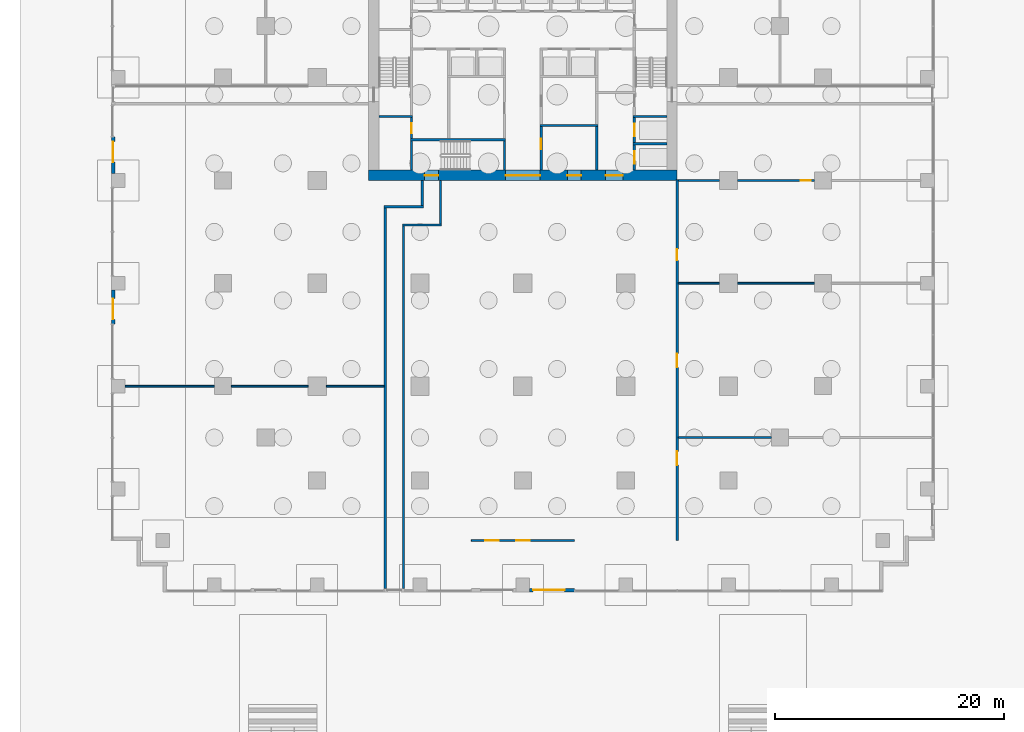
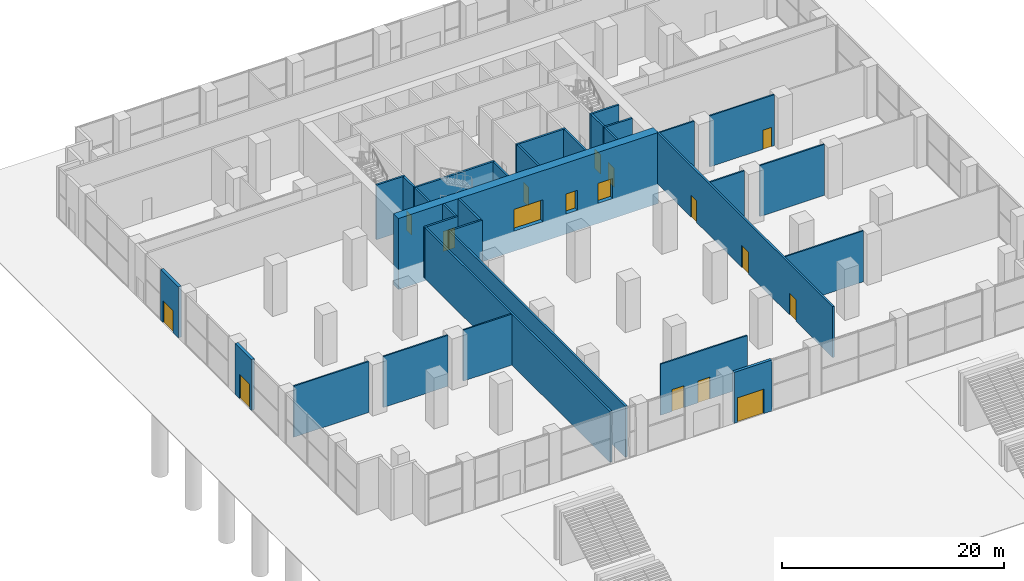
# One storey, part 14 of 20: 32 walls, 17 doors, 17 openings.
"""IFC4 building model written with IfcOpenShell, lengths in metres."""

import ifcopenshell
import ifcopenshell.guid

model = None  # the IFC model being written
_history = None  # IfcOwnerHistory: only IFC2X3 demands one
_inside = {}  # id of a spatial element -> (the spatial element, [elements in it])
_under = {}  # id of a project, library or spatial element -> (it, [spatial elements below it])
_declared = {}  # id of a project -> (the project, [libraries it declares])
_typed = {}  # id of a type object -> (the type object, [elements of that type])
_made_of = {}  # id of a material, layer set ... -> (it, [elements and type objects made of it])


def new_model(schema):
    """Start an empty IFC model of exactly this schema.

    Asked for "IFC4X3", IfcOpenShell would pick the latest addendum, in which some entities
    have other attributes; the version numbers below select the first issue.
    IFC2X3 requires an IfcOwnerHistory on every rooted entity: one is made here for all.
    """
    global model, _history
    if schema == "IFC4X3":
        model = ifcopenshell.file(schema_version=(4, 3, 0, 0))
    else:
        model = ifcopenshell.file(schema=schema)
    _inside.clear()
    _under.clear()
    _declared.clear()
    _typed.clear()
    _made_of.clear()
    _history = None
    if model.schema == "IFC2X3":
        org = make("IfcOrganization", Name="unknown")
        user = make(
            "IfcPersonAndOrganization",
            ThePerson=make("IfcPerson", FamilyName="unknown"),
            TheOrganization=org,
        )
        app = make(
            "IfcApplication",
            ApplicationDeveloper=org,
            Version="unknown",
            ApplicationFullName="unknown",
            ApplicationIdentifier="unknown",
        )
        _history = make(
            "IfcOwnerHistory",
            OwningUser=user,
            OwningApplication=app,
            ChangeAction="ADDED",
            CreationDate=0,
        )
    return model


def make(cls, **values):
    """One entity of the class cls with the attributes given. An attribute that is None is left unset."""
    return model.create_entity(
        cls, **{name: value for name, value in values.items() if value is not None}
    )


def rooted(cls, **values):
    """An entity with a GlobalId (a new one), such as an element, a storey or a relation."""
    return make(cls, GlobalId=ifcopenshell.guid.new(), OwnerHistory=_history, **values)


def si_unit(unit_type, name, prefix=None):
    """IfcSIUnit, for example si_unit("LENGTHUNIT", "METRE", prefix="MILLI")."""
    return make("IfcSIUnit", UnitType=unit_type, Prefix=prefix, Name=name)


def assignment(units):
    """IfcUnitAssignment: the units of a project."""
    return None if units is None else make("IfcUnitAssignment", Units=units)


def point(xyz):
    """IfcCartesianPoint."""
    return None if xyz is None else make("IfcCartesianPoint", Coordinates=xyz)


def direction(xyz):
    """IfcDirection."""
    return None if xyz is None else make("IfcDirection", DirectionRatios=xyz)


def frame(location, z_axis=None, x_axis=None):
    """IfcAxis2Placement3D, a coordinate frame: its origin and axes. An axis left out is left unset."""
    return make(
        "IfcAxis2Placement3D",
        Location=point(location),
        Axis=direction(z_axis),
        RefDirection=direction(x_axis),
    )


def frame_2d(location, x_axis=None):
    """IfcAxis2Placement2D, a coordinate frame in the plane: its origin and x axis."""
    return make(
        "IfcAxis2Placement2D", Location=point(location), RefDirection=direction(x_axis)
    )


def origin():
    """The frame at (0, 0, 0) with its axes left unset."""
    return frame((0.0, 0.0, 0.0))


def place(relative_to, where):
    """IfcLocalPlacement: puts the frame where relative to a parent placement (None: the world)."""
    return make(
        "IfcLocalPlacement", PlacementRelTo=relative_to, RelativePlacement=where
    )


def context(
    kind, dimensions, precision=None, world=None, true_north=None, identifier=None
):
    """IfcGeometricRepresentationContext, for example the 3D "Model" context."""
    return make(
        "IfcGeometricRepresentationContext",
        ContextIdentifier=identifier,
        ContextType=kind,
        CoordinateSpaceDimension=dimensions,
        Precision=precision,
        WorldCoordinateSystem=world,
        TrueNorth=true_north,
    )


def subcontext(parent, identifier, kind, view, scale=None):
    """IfcGeometricRepresentationSubContext, for example "Body" below "Model"."""
    return make(
        "IfcGeometricRepresentationSubContext",
        ContextIdentifier=identifier,
        ContextType=kind,
        ParentContext=parent,
        TargetScale=scale,
        TargetView=view,
    )


def project(units=None, contexts=None):
    """IfcProject with its units and contexts."""
    return rooted(
        "IfcProject",
        Name="project",
        RepresentationContexts=contexts,
        UnitsInContext=assignment(units),
    )


def spatial(cls, under=None, at=None, **own):
    """A site, building, storey or space (cls), placed at a placement, below another one or the project."""
    s = rooted(cls, ObjectPlacement=at, **own)
    if under is not None:
        _under.setdefault(under.id(), (under, []))[1].append(s)
    return s


def profile(cls, at=None, kind="AREA", **sizes):
    """A parametric profile (cls). Its sizes go by their IFC names, for example OverallWidth=200.0."""
    return make(cls, ProfileType=kind, Position=at, **sizes)


def rectangle(**sizes):
    """IfcRectangleProfileDef."""
    return profile("IfcRectangleProfileDef", **sizes)


def extrude(swept, where, along, depth):
    """IfcExtrudedAreaSolid: the profile swept, set in the frame where, extruded along a direction by depth."""
    return make(
        "IfcExtrudedAreaSolid",
        SweptArea=swept,
        Position=where,
        ExtrudedDirection=direction(along),
        Depth=depth,
    )


def shape(context_of_items, identifier, shape_type, items):
    """IfcShapeRepresentation: the items that make up one representation, for example the "Body"."""
    return make(
        "IfcShapeRepresentation",
        ContextOfItems=context_of_items,
        RepresentationIdentifier=identifier,
        RepresentationType=shape_type,
        Items=items,
    )


def material(Name=None, Category=None):
    """IfcMaterial."""
    return make("IfcMaterial", Name=Name, Category=Category)


def layer(
    of_material, thickness, ventilated=None, Name=None, Category=None, Priority=None
):
    """IfcMaterialLayer: one layer of a wall or slab, of a material (None: an air gap)."""
    return make(
        "IfcMaterialLayer",
        Material=of_material,
        LayerThickness=thickness,
        IsVentilated=ventilated,
        Name=Name,
        Category=Category,
        Priority=Priority,
    )


def layer_set(layers, Name=None):
    """IfcMaterialLayerSet."""
    return make("IfcMaterialLayerSet", MaterialLayers=layers, LayerSetName=Name)


def made_of(thing, what):
    """Note that an element or type object is made of a material, layer set ...; save() writes the relation."""
    if what is not None:
        _made_of.setdefault(what.id(), (what, []))[1].append(thing)
    return thing


def type_object(cls, material=None, **own):
    """A type object (cls), such as IfcWallType, which elements share."""
    return made_of(rooted(cls, **own), material)


def element(
    cls,
    number,
    at=None,
    inside=None,
    cuts=None,
    type_object=None,
    material=None,
    context=None,
    identifier="Body",
    shape_type=None,
    held_by="IfcProductDefinitionShape",
    body=None,
    shapes=None,
    **own,
):
    """One element of the class cls, such as IfcWall. Its Tag is "e" and its number.

    at: its placement. inside: the storey or other place that contains it. cuts: it is an
    opening in that element (IfcRelVoidsElement). A single representation is given by context,
    identifier, shape_type and body (its items); several are given by shapes. held_by: the class
    of the entity that holds the representations. save() writes the other relations.
    """
    e = rooted(cls, Tag="e%d" % number, ObjectPlacement=at, **own)
    if body is not None:
        shapes = [shape(context, identifier, shape_type, body)]
    if shapes is not None:
        e.Representation = make(held_by, Representations=shapes)
    if inside is not None:
        _inside.setdefault(inside.id(), (inside, []))[1].append(e)
    if cuts is not None:
        rooted(
            "IfcRelVoidsElement", RelatingBuildingElement=cuts, RelatedOpeningElement=e
        )
    if type_object is not None:
        _typed.setdefault(type_object.id(), (type_object, []))[1].append(e)
    return made_of(e, material)


def fill(opening, filler):
    """IfcRelFillsElement: the door or window that sits in an opening."""
    return rooted(
        "IfcRelFillsElement",
        RelatingOpeningElement=opening,
        RelatedBuildingElement=filler,
    )


def aggregate(whole, parts):
    """IfcRelAggregates: a whole, such as a stair, and the parts it consists of."""
    return rooted("IfcRelAggregates", RelatingObject=whole, RelatedObjects=parts)


def save(model, path):
    """Write the relations noted so far, then the file.

    IfcRelAggregates (storeys below a building ...), IfcRelContainedInSpatialStructure (elements
    in a storey), IfcRelDefinesByType, IfcRelAssociatesMaterial and IfcRelDeclares: one each for
    every whole, place, type object, material and project.
    """
    for whole, parts in _under.values():
        aggregate(whole, parts)
    for where, things in _inside.values():
        rooted(
            "IfcRelContainedInSpatialStructure",
            RelatedElements=things,
            RelatingStructure=where,
        )
    for kind, things in _typed.values():
        rooted("IfcRelDefinesByType", RelatedObjects=things, RelatingType=kind)
    for what, things in _made_of.values():
        rooted("IfcRelAssociatesMaterial", RelatedObjects=things, RelatingMaterial=what)
    for by, libraries in _declared.values():
        rooted("IfcRelDeclares", RelatingContext=by, RelatedDefinitions=libraries)
    model.write(path)


model = new_model("IFC4")

# Units and contexts
model_context = context("Model", 3, precision=1e-05, world=origin(), true_north=direction((0.0, 1.0)))
body_context = subcontext(model_context, "Body", "Model", "MODEL_VIEW")
ifc_project = project(units=[si_unit("LENGTHUNIT", "METRE"), si_unit("AREAUNIT", "SQUARE_METRE"), si_unit("VOLUMEUNIT", "CUBIC_METRE"), si_unit("PLANEANGLEUNIT", "RADIAN"), si_unit("MASSUNIT", "GRAM", prefix="KILO")], contexts=[model_context])

# Site, building, storey
site_placement = place(None, origin())
site = spatial("IfcSite", under=ifc_project, at=site_placement, CompositionType="ELEMENT")
building_placement = place(site_placement, origin())
building = spatial("IfcBuilding", under=site, at=building_placement, Name="Orbiselva Terraces", CompositionType="ELEMENT")
storey_placement = place(building_placement, origin())
storey = spatial("IfcBuildingStorey", under=building, at=storey_placement, Name="L00", CompositionType="ELEMENT", Elevation=0.0)

# Wall, openings, doors
ifc_material_1 = material(Name="Concrete C80/95", Category="concrete")
ifc_layer_1 = layer(ifc_material_1, 0.9)
ifc_layer_set_1 = layer_set([ifc_layer_1], Name="Concrete C80/95")
wall_type_1 = type_object("IfcWallType", Name="CORE WALL 900", PredefinedType="SHEAR", material=ifc_layer_set_1)
wall_1_placement = place(storey_placement, frame((-13.5, 4.95, -2.2), z_axis=(0.0, 0.0, 1.0), x_axis=(1.0, 0.0, 0.0)))
wall_1 = element("IfcWall", 1, at=wall_1_placement, inside=storey, type_object=wall_type_1, Name="Core wall L00 south", PredefinedType="SHEAR", context=body_context, shape_type="SweptSolid", body=[
    extrude(rectangle(XDim=27.0, YDim=0.9, at=frame_2d((13.5, 0.0))), origin(), (0.0, 0.0, 1.0), 7.8),
])
opening_1_placement = place(wall_1_placement, frame((12.0, 0.0, 2.2)))
opening_1 = element("IfcOpeningElement", 2, at=opening_1_placement, cuts=wall_1, Name="Opening DL3000", PredefinedType="OPENING", context=body_context, shape_type="SweptSolid", body=[
    extrude(rectangle(XDim=3.0, YDim=2.4, at=frame_2d((1.5, 1.2))), frame((0.0, 0.46, 0.0), z_axis=(0.0, -1.0, 0.0), x_axis=(1.0, 0.0, 0.0)), (0.0, 0.0, 1.0), 0.92),
])
opening_2_placement = place(wall_1_placement, frame((4.9, 0.0, 2.2)))
opening_2 = element("IfcOpeningElement", 3, at=opening_2_placement, cuts=wall_1, Name="Opening DS1200", PredefinedType="OPENING", context=body_context, shape_type="SweptSolid", body=[
    extrude(rectangle(XDim=1.2, YDim=2.2, at=frame_2d((0.6, 1.1))), frame((0.0, 0.46, 0.0), z_axis=(0.0, -1.0, 0.0), x_axis=(1.0, 0.0, 0.0)), (0.0, 0.0, 1.0), 0.92),
])
opening_3_placement = place(wall_1_placement, frame((20.75, 0.0, 2.2)))
opening_3 = element("IfcOpeningElement", 4, at=opening_3_placement, cuts=wall_1, Name="Opening DF1500", PredefinedType="OPENING", context=body_context, shape_type="SweptSolid", body=[
    extrude(rectangle(XDim=1.5, YDim=2.2, at=frame_2d((0.75, 1.1))), frame((0.0, 0.46, 0.0), z_axis=(0.0, -1.0, 0.0), x_axis=(1.0, 0.0, 0.0)), (0.0, 0.0, 1.0), 0.92),
])
opening_4_placement = place(wall_1_placement, frame((17.4, 0.0, 2.2)))
opening_4 = element("IfcOpeningElement", 5, at=opening_4_placement, cuts=wall_1, Name="Opening DV1200", PredefinedType="OPENING", context=body_context, shape_type="SweptSolid", body=[
    extrude(rectangle(XDim=1.2, YDim=2.2, at=frame_2d((0.6, 1.1))), frame((0.0, 0.46, 0.0), z_axis=(0.0, -1.0, 0.0), x_axis=(1.0, 0.0, 0.0)), (0.0, 0.0, 1.0), 0.92),
])
ifc_material_2 = material(Name="Steel fire door", Category="steel")
door_type_1 = type_object("IfcDoorType", Name="FFL DOOR 1500", OperationType="DOUBLE_DOOR_SINGLE_SWING", PredefinedType="DOOR", material=ifc_material_2)
door_1_placement = place(opening_3_placement, frame((1.5, 0.0, 0.0), z_axis=(0.0, 0.0, 1.0), x_axis=(-1.0, 0.0, 0.0)))
door_1 = element("IfcDoor", 6, at=door_1_placement, inside=storey, type_object=door_type_1, Name="L00 FIRE-FIGHTING LOBBY door", OperationType="DOUBLE_DOOR_SINGLE_SWING", OverallHeight=2.2, OverallWidth=1.5, PredefinedType="DOOR", context=body_context, shape_type="SweptSolid", body=[
    extrude(rectangle(XDim=1.5, YDim=2.2, at=frame_2d((0.75, 1.1))), frame((0.0, 0.025, 0.0), z_axis=(0.0, -1.0, 0.0), x_axis=(1.0, 0.0, 0.0)), (0.0, 0.0, 1.0), 0.05),
])
fill(opening_3, door_1)
door_type_2 = type_object("IfcDoorType", Name="LOBBY DOOR 3000", OperationType="DOUBLE_DOOR_SINGLE_SWING", PredefinedType="DOOR", material=ifc_material_2)
door_2_placement = place(opening_1_placement, frame((3.0, 0.0, 0.0), z_axis=(0.0, 0.0, 1.0), x_axis=(-1.0, 0.0, 0.0)))
door_2 = element("IfcDoor", 7, at=door_2_placement, inside=storey, type_object=door_type_2, Name="L00 LIFT LOBBY door", OperationType="DOUBLE_DOOR_SINGLE_SWING", OverallHeight=2.4, OverallWidth=3.0, PredefinedType="DOOR", context=body_context, shape_type="SweptSolid", body=[
    extrude(rectangle(XDim=3.0, YDim=2.4, at=frame_2d((1.5, 1.2))), frame((0.0, 0.025, 0.0), z_axis=(0.0, -1.0, 0.0), x_axis=(1.0, 0.0, 0.0)), (0.0, 0.0, 1.0), 0.05),
])
fill(opening_1, door_2)
door_type_3 = type_object("IfcDoorType", Name="SERVICE DOOR 1200", OperationType="NOTDEFINED", PredefinedType="DOOR", material=ifc_material_2)
door_3_placement = place(opening_4_placement, frame((1.2, 0.0, 0.0), z_axis=(0.0, 0.0, 1.0), x_axis=(-1.0, 0.0, 0.0)))
door_3 = element("IfcDoor", 8, at=door_3_placement, inside=storey, type_object=door_type_3, Name="L00 ELECTRICAL ROOM door", OperationType="SINGLE_SWING_RIGHT", OverallHeight=2.2, OverallWidth=1.2, PredefinedType="DOOR", context=body_context, shape_type="SweptSolid", body=[
    extrude(rectangle(XDim=1.2, YDim=2.2, at=frame_2d((0.6, 1.1))), frame((0.0, 0.025, 0.0), z_axis=(0.0, -1.0, 0.0), x_axis=(1.0, 0.0, 0.0)), (0.0, 0.0, 1.0), 0.05),
])
fill(opening_4, door_3)
door_type_4 = type_object("IfcDoorType", Name="STAIR DOOR 1200", OperationType="NOTDEFINED", PredefinedType="DOOR", material=ifc_material_2)
door_4_placement = place(opening_2_placement, frame((1.2, 0.0, 0.0), z_axis=(0.0, 0.0, 1.0), x_axis=(-1.0, 0.0, 0.0)))
door_4 = element("IfcDoor", 9, at=door_4_placement, inside=storey, type_object=door_type_4, Name="L00 EXIT STAIR S3 door", OperationType="SINGLE_SWING_LEFT", OverallHeight=2.2, OverallWidth=1.2, PredefinedType="DOOR", context=body_context, shape_type="SweptSolid", body=[
    extrude(rectangle(XDim=1.2, YDim=2.2, at=frame_2d((0.6, 1.1))), frame((0.0, 0.025, 0.0), z_axis=(0.0, -1.0, 0.0), x_axis=(1.0, 0.0, 0.0)), (0.0, 0.0, 1.0), 0.05),
])
fill(opening_2, door_4)

# Wall, opening, door
ifc_material_3 = material(Name="Masonry blockwork", Category="masonry")
ifc_layer_2 = layer(ifc_material_3, 0.2)
ifc_layer_set_2 = layer_set([ifc_layer_2], Name="Masonry blockwork")
wall_type_2 = type_object("IfcWallType", Name="CORE-WALL-PARTITION-200", PredefinedType="PARTITIONING", material=ifc_layer_set_2)
wall_2_placement = place(storey_placement, frame((-9.75, 8.15, 0.0), z_axis=(0.0, 0.0, 1.0), x_axis=(0.0, 1.0, 0.0)))
wall_2 = element("IfcWall", 10, at=wall_2_placement, inside=storey, type_object=wall_type_2, Name="L00 core wall 05", PredefinedType="PARTITIONING", context=body_context, shape_type="SweptSolid", body=[
    extrude(rectangle(XDim=1.85, YDim=0.2, at=frame_2d((0.925, 0.0))), origin(), (0.0, 0.0, 1.0), 5.6),
])
opening_5_placement = place(wall_2_placement, frame((0.475, 0.0, 0.0)))
opening_5 = element("IfcOpeningElement", 11, at=opening_5_placement, cuts=wall_2, Name="Opening DR900", PredefinedType="OPENING", context=body_context, shape_type="SweptSolid", body=[
    extrude(rectangle(XDim=0.9, YDim=2.1, at=frame_2d((0.45, 1.05))), frame((0.0, 0.11, 0.0), z_axis=(0.0, -1.0, 0.0), x_axis=(1.0, 0.0, 0.0)), (0.0, 0.0, 1.0), 0.22),
])
door_type_5 = type_object("IfcDoorType", Name="ROOM DOOR 900", OperationType="NOTDEFINED", PredefinedType="DOOR", material=ifc_material_2)
door_5_placement = place(opening_5_placement, origin())
door_5 = element("IfcDoor", 12, at=door_5_placement, inside=storey, type_object=door_type_5, Name="L00 ACCESSIBLE WC door", OperationType="SINGLE_SWING_RIGHT", OverallHeight=2.1, OverallWidth=0.9, PredefinedType="DOOR", context=body_context, shape_type="SweptSolid", body=[
    extrude(rectangle(XDim=0.9, YDim=2.1, at=frame_2d((0.45, 1.05))), frame((0.0, 0.025, 0.0), z_axis=(0.0, -1.0, 0.0), x_axis=(1.0, 0.0, 0.0)), (0.0, 0.0, 1.0), 0.05),
])
fill(opening_5, door_5)

# Walls
ifc_layer_3 = layer(ifc_material_3, 0.2)
ifc_layer_set_3 = layer_set([ifc_layer_3], Name="Masonry blockwork")
wall_type_3 = type_object("IfcWallType", Name="CORE-WALL-PARTITION-200-EI120", PredefinedType="PARTITIONING", material=ifc_layer_set_3)
wall_3_placement = place(storey_placement, frame((-12.05, -31.2, 0.0), z_axis=(0.0, 0.0, 1.0), x_axis=(0.0, 1.0, 0.0)))
element("IfcWall", 13, at=wall_3_placement, inside=storey, type_object=wall_type_3, Name="EXIT PASSAGE S3 wall 1", PredefinedType="PARTITIONING", context=body_context, shape_type="SweptSolid", body=[
    extrude(rectangle(XDim=33.3, YDim=0.2, at=frame_2d((16.65, 0.0))), origin(), (0.0, 0.0, 1.0), 5.6),
])
wall_4_placement = place(storey_placement, frame((-12.15, 2.2, 0.0), z_axis=(0.0, 0.0, 1.0), x_axis=(1.0, 0.0, 0.0)))
element("IfcWall", 14, at=wall_4_placement, inside=storey, type_object=wall_type_3, Name="EXIT PASSAGE S3 wall 2", PredefinedType="PARTITIONING", context=body_context, shape_type="SweptSolid", body=[
    extrude(rectangle(XDim=3.45, YDim=0.2, at=frame_2d((1.725, 0.0))), origin(), (0.0, 0.0, 1.0), 5.6),
])
wall_5_placement = place(storey_placement, frame((-10.45, -31.2, 0.0), z_axis=(0.0, 0.0, 1.0), x_axis=(0.0, 1.0, 0.0)))
element("IfcWall", 15, at=wall_5_placement, inside=storey, type_object=wall_type_3, Name="EXIT PASSAGE S3 wall 3", PredefinedType="PARTITIONING", context=body_context, shape_type="SweptSolid", body=[
    extrude(rectangle(XDim=31.7, YDim=0.2, at=frame_2d((15.85, 0.0))), origin(), (0.0, 0.0, 1.0), 5.6),
])
wall_6_placement = place(storey_placement, frame((-10.55, 0.6, 0.0), z_axis=(0.0, 0.0, 1.0), x_axis=(1.0, 0.0, 0.0)))
element("IfcWall", 16, at=wall_6_placement, inside=storey, type_object=wall_type_3, Name="EXIT PASSAGE S3 wall 4", PredefinedType="PARTITIONING", context=body_context, shape_type="SweptSolid", body=[
    extrude(rectangle(XDim=3.45, YDim=0.2, at=frame_2d((1.725, 0.0))), origin(), (0.0, 0.0, 1.0), 5.6),
])
wall_7_placement = place(storey_placement, frame((-8.8, 2.3, 0.0), z_axis=(0.0, 0.0, 1.0), x_axis=(0.0, 1.0, 0.0)))
element("IfcWall", 17, at=wall_7_placement, inside=storey, type_object=wall_type_3, Name="EXIT PASSAGE S3 wall 5", PredefinedType="PARTITIONING", context=body_context, shape_type="SweptSolid", body=[
    extrude(rectangle(XDim=2.2, YDim=0.2, at=frame_2d((1.1, 0.0))), origin(), (0.0, 0.0, 1.0), 5.6),
])
wall_8_placement = place(storey_placement, frame((-7.2, 0.7, 0.0), z_axis=(0.0, 0.0, 1.0), x_axis=(0.0, 1.0, 0.0)))
element("IfcWall", 18, at=wall_8_placement, inside=storey, type_object=wall_type_3, Name="EXIT PASSAGE S3 wall 6", PredefinedType="PARTITIONING", context=body_context, shape_type="SweptSolid", body=[
    extrude(rectangle(XDim=3.8, YDim=0.2, at=frame_2d((1.9, 0.0))), origin(), (0.0, 0.0, 1.0), 5.6),
])
ifc_material_4 = material(Name="Concrete C60/75", Category="concrete")
ifc_layer_4 = layer(ifc_material_4, 0.2)
ifc_layer_set_4 = layer_set([ifc_layer_4], Name="Concrete C60/75")
wall_type_4 = type_object("IfcWallType", Name="CORE-WALL-SHEAR-200", PredefinedType="SHEAR", material=ifc_layer_set_4)
wall_9_placement = place(storey_placement, frame((-12.6, 10.1, -0.4), z_axis=(0.0, 0.0, 1.0), x_axis=(1.0, 0.0, 0.0)))
element("IfcWall", 19, at=wall_9_placement, inside=storey, type_object=wall_type_4, Name="L00 core wall 01", PredefinedType="SHEAR", context=body_context, shape_type="SweptSolid", body=[
    extrude(rectangle(XDim=2.95, YDim=0.2, at=frame_2d((1.475, 0.0))), origin(), (0.0, 0.0, 1.0), 6.0),
])
wall_10_placement = place(storey_placement, frame((-9.75, 5.4, -0.4), z_axis=(0.0, 0.0, 1.0), x_axis=(0.0, 1.0, 0.0)))
element("IfcWall", 20, at=wall_10_placement, inside=storey, type_object=wall_type_4, Name="L00 core wall 03", PredefinedType="SHEAR", context=body_context, shape_type="SweptSolid", body=[
    extrude(rectangle(XDim=2.55, YDim=0.2, at=frame_2d((1.275, 0.0))), origin(), (0.0, 0.0, 1.0), 6.0),
])
wall_11_placement = place(storey_placement, frame((-9.85, 8.05, -0.4), z_axis=(0.0, 0.0, 1.0), x_axis=(1.0, 0.0, 0.0)))
element("IfcWall", 21, at=wall_11_placement, inside=storey, type_object=wall_type_4, Name="L00 core wall 04", PredefinedType="SHEAR", context=body_context, shape_type="SweptSolid", body=[
    extrude(rectangle(XDim=8.35, YDim=0.2, at=frame_2d((4.175, 0.0))), origin(), (0.0, 0.0, 1.0), 6.0),
])
wall_12_placement = place(storey_placement, frame((-1.6, 5.4, -0.4), z_axis=(0.0, 0.0, 1.0), x_axis=(0.0, 1.0, 0.0)))
element("IfcWall", 22, at=wall_12_placement, inside=storey, type_object=wall_type_4, Name="L00 core wall 19", PredefinedType="SHEAR", context=body_context, shape_type="SweptSolid", body=[
    extrude(rectangle(XDim=2.55, YDim=0.2, at=frame_2d((1.275, 0.0))), origin(), (0.0, 0.0, 1.0), 6.0),
])

# Wall, opening, door
wall_13_placement = place(storey_placement, frame((1.6, 9.2, -0.4), z_axis=(0.0, 0.0, 1.0), x_axis=(0.0, -1.0, 0.0)))
wall_13 = element("IfcWall", 23, at=wall_13_placement, inside=storey, type_object=wall_type_4, Name="L00 core wall 23", PredefinedType="SHEAR", context=body_context, shape_type="SweptSolid", body=[
    extrude(rectangle(XDim=3.8, YDim=0.2, at=frame_2d((1.9, 0.0))), origin(), (0.0, 0.0, 1.0), 6.0),
])
opening_6_placement = place(wall_13_placement, frame((1.05, 0.0, 0.4)))
opening_6 = element("IfcOpeningElement", 24, at=opening_6_placement, cuts=wall_13, Name="Opening DR900", PredefinedType="OPENING", context=body_context, shape_type="SweptSolid", body=[
    extrude(rectangle(XDim=0.9, YDim=2.1, at=frame_2d((0.45, 1.05))), frame((0.0, 0.11, 0.0), z_axis=(0.0, -1.0, 0.0), x_axis=(1.0, 0.0, 0.0)), (0.0, 0.0, 1.0), 0.22),
])
door_6_placement = place(opening_6_placement, origin())
door_6 = element("IfcDoor", 25, at=door_6_placement, inside=storey, type_object=door_type_5, Name="L00 ELECTRICAL ROOM door", OperationType="SINGLE_SWING_LEFT", OverallHeight=2.1, OverallWidth=0.9, PredefinedType="DOOR", context=body_context, shape_type="SweptSolid", body=[
    extrude(rectangle(XDim=0.9, YDim=2.1, at=frame_2d((0.45, 1.05))), frame((0.0, 0.025, 0.0), z_axis=(0.0, -1.0, 0.0), x_axis=(1.0, 0.0, 0.0)), (0.0, 0.0, 1.0), 0.05),
])
fill(opening_6, door_6)

# Walls
wall_14_placement = place(storey_placement, frame((1.5, 9.3, -0.4), z_axis=(0.0, 0.0, 1.0), x_axis=(1.0, 0.0, 0.0)))
element("IfcWall", 26, at=wall_14_placement, inside=storey, type_object=wall_type_4, Name="L00 core wall 24", PredefinedType="SHEAR", context=body_context, shape_type="SweptSolid", body=[
    extrude(rectangle(XDim=5.075, YDim=0.2, at=frame_2d((2.5375, 0.0))), origin(), (0.0, 0.0, 1.0), 6.0),
])
wall_15_placement = place(storey_placement, frame((6.475, 5.4, -0.4), z_axis=(0.0, 0.0, 1.0), x_axis=(0.0, 1.0, 0.0)))
element("IfcWall", 27, at=wall_15_placement, inside=storey, type_object=wall_type_4, Name="L00 core wall 32", PredefinedType="SHEAR", context=body_context, shape_type="SweptSolid", body=[
    extrude(rectangle(XDim=3.8, YDim=0.2, at=frame_2d((1.9, 0.0))), origin(), (0.0, 0.0, 1.0), 6.0),
])

# Wall, opening, door
wall_16_placement = place(storey_placement, frame((9.75, 5.4, -0.4), z_axis=(0.0, 0.0, 1.0), x_axis=(0.0, 1.0, 0.0)))
wall_16 = element("IfcWall", 28, at=wall_16_placement, inside=storey, type_object=wall_type_4, Name="L00 core wall 38", PredefinedType="SHEAR", context=body_context, shape_type="SweptSolid", body=[
    extrude(rectangle(XDim=2.2, YDim=0.2, at=frame_2d((1.1, 0.0))), origin(), (0.0, 0.0, 1.0), 6.0),
])
opening_7_placement = place(wall_16_placement, frame((0.55, 0.0, 0.4)))
opening_7 = element("IfcOpeningElement", 29, at=opening_7_placement, cuts=wall_16, Name="Opening LD-FF1", PredefinedType="OPENING", context=body_context, shape_type="SweptSolid", body=[
    extrude(rectangle(XDim=1.1, YDim=2.1, at=frame_2d((0.55, 1.05))), frame((0.0, 0.11, 0.0), z_axis=(0.0, -1.0, 0.0), x_axis=(1.0, 0.0, 0.0)), (0.0, 0.0, 1.0), 0.22),
])
ifc_material_5 = material(Name="Stainless steel landing door", Category="steel")
door_type_6 = type_object("IfcDoorType", Name="LANDING DOOR 1100", OperationType="SLIDING_TO_LEFT", PredefinedType="DOOR", material=ifc_material_5)
door_7_placement = place(opening_7_placement, origin())
door_7 = element("IfcDoor", 30, at=door_7_placement, inside=storey, type_object=door_type_6, Name="L00 landing door FF1", OperationType="SLIDING_TO_RIGHT", OverallHeight=2.1, OverallWidth=1.1, PredefinedType="DOOR", context=body_context, shape_type="SweptSolid", body=[
    extrude(rectangle(XDim=1.1, YDim=2.1, at=frame_2d((0.55, 1.05))), frame((0.0, 0.025, 0.0), z_axis=(0.0, -1.0, 0.0), x_axis=(1.0, 0.0, 0.0)), (0.0, 0.0, 1.0), 0.05),
])
fill(opening_7, door_7)

# Wall
wall_17_placement = place(storey_placement, frame((9.65, 7.7, -0.4), z_axis=(0.0, 0.0, 1.0), x_axis=(1.0, 0.0, 0.0)))
element("IfcWall", 31, at=wall_17_placement, inside=storey, type_object=wall_type_4, Name="L00 core wall 39", PredefinedType="SHEAR", context=body_context, shape_type="SweptSolid", body=[
    extrude(rectangle(XDim=2.95, YDim=0.2, at=frame_2d((1.475, 0.0))), origin(), (0.0, 0.0, 1.0), 6.0),
])

# Wall, opening, door
wall_18_placement = place(storey_placement, frame((9.75, 7.8, -0.4), z_axis=(0.0, 0.0, 1.0), x_axis=(0.0, 1.0, 0.0)))
wall_18 = element("IfcWall", 32, at=wall_18_placement, inside=storey, type_object=wall_type_4, Name="L00 core wall 40", PredefinedType="SHEAR", context=body_context, shape_type="SweptSolid", body=[
    extrude(rectangle(XDim=2.2, YDim=0.2, at=frame_2d((1.1, 0.0))), origin(), (0.0, 0.0, 1.0), 6.0),
])
opening_8_placement = place(wall_18_placement, frame((0.55, 0.0, 0.4)))
opening_8 = element("IfcOpeningElement", 33, at=opening_8_placement, cuts=wall_18, Name="Opening LD-FF2", PredefinedType="OPENING", context=body_context, shape_type="SweptSolid", body=[
    extrude(rectangle(XDim=1.1, YDim=2.1, at=frame_2d((0.55, 1.05))), frame((0.0, 0.11, 0.0), z_axis=(0.0, -1.0, 0.0), x_axis=(1.0, 0.0, 0.0)), (0.0, 0.0, 1.0), 0.22),
])
door_8_placement = place(opening_8_placement, origin())
door_8 = element("IfcDoor", 34, at=door_8_placement, inside=storey, type_object=door_type_6, Name="L00 landing door FF2", OperationType="SLIDING_TO_RIGHT", OverallHeight=2.1, OverallWidth=1.1, PredefinedType="DOOR", context=body_context, shape_type="SweptSolid", body=[
    extrude(rectangle(XDim=1.1, YDim=2.1, at=frame_2d((0.55, 1.05))), frame((0.0, 0.025, 0.0), z_axis=(0.0, -1.0, 0.0), x_axis=(1.0, 0.0, 0.0)), (0.0, 0.0, 1.0), 0.05),
])
fill(opening_8, door_8)

# Wall
wall_19_placement = place(storey_placement, frame((9.65, 10.1, -0.4), z_axis=(0.0, 0.0, 1.0), x_axis=(1.0, 0.0, 0.0)))
element("IfcWall", 35, at=wall_19_placement, inside=storey, type_object=wall_type_4, Name="L00 core wall 41", PredefinedType="SHEAR", context=body_context, shape_type="SweptSolid", body=[
    extrude(rectangle(XDim=2.95, YDim=0.2, at=frame_2d((1.475, 0.0))), origin(), (0.0, 0.0, 1.0), 6.0),
])

# Wall, opening, door
ifc_material_6 = material(Name="Terracotta cladding on masonry backing", Category="masonry")
ifc_layer_5 = layer(ifc_material_6, 0.3)
ifc_layer_set_5 = layer_set([ifc_layer_5], Name="Terracotta cladding on masonry backing")
wall_type_5 = type_object("IfcWallType", Name="ENV-WALL-TERRACOTTA-300", PredefinedType="SOLIDWALL", material=ifc_layer_set_5)
wall_20_placement = place(storey_placement, frame((4.5, -31.35, 0.0), z_axis=(0.0, 0.0, 1.0), x_axis=(-1.0, 0.0, 0.0)))
wall_20 = element("IfcWall", 36, at=wall_20_placement, inside=storey, type_object=wall_type_5, Name="Facade wall L00 S", PredefinedType="SOLIDWALL", context=body_context, shape_type="SweptSolid", body=[
    extrude(rectangle(XDim=3.9, YDim=0.3, at=frame_2d((1.95, 0.0))), origin(), (0.0, 0.0, 1.0), 5.6),
])
opening_9_placement = place(wall_20_placement, frame((0.85, 0.0, 0.0)))
opening_9 = element("IfcOpeningElement", 37, at=opening_9_placement, cuts=wall_20, Name="Opening PODIUM-GROUND-E03", PredefinedType="OPENING", context=body_context, shape_type="SweptSolid", body=[
    extrude(rectangle(XDim=2.75, YDim=2.7, at=frame_2d((1.375, 1.35))), frame((0.0, 0.16, 0.0), z_axis=(0.0, -1.0, 0.0), x_axis=(1.0, 0.0, 0.0)), (0.0, 0.0, 1.0), 0.32),
])
ifc_material_7 = material(Name="Clear low-e glazing in aluminium frame", Category="aluminium")
door_type_7 = type_object("IfcDoorType", Name="ENTRANCE DOOR 2750 X 2700", OperationType="DOUBLE_DOOR_DOUBLE_SWING", PredefinedType="DOOR", material=ifc_material_7)
door_9_placement = place(opening_9_placement, origin())
door_9 = element("IfcDoor", 38, at=door_9_placement, inside=storey, type_object=door_type_7, Name="PODIUM-GROUND-E03", OperationType="SINGLE_SWING_LEFT", OverallHeight=2.7, OverallWidth=2.75, PredefinedType="DOOR", context=body_context, shape_type="SweptSolid", body=[
    extrude(rectangle(XDim=2.75, YDim=2.7, at=frame_2d((1.375, 1.35))), frame((0.0, 0.025, 0.0), z_axis=(0.0, -1.0, 0.0), x_axis=(1.0, 0.0, 0.0)), (0.0, 0.0, 1.0), 0.05),
])
fill(opening_9, door_9)

wall_21_placement = place(storey_placement, frame((-35.85, -8.05, 0.0), z_axis=(0.0, 0.0, 1.0), x_axis=(0.0, 1.0, 0.0)))
wall_21 = element("IfcWall", 39, at=wall_21_placement, inside=storey, type_object=wall_type_5, Name="Facade wall L00 W", PredefinedType="SOLIDWALL", context=body_context, shape_type="SweptSolid", body=[
    extrude(rectangle(XDim=2.95, YDim=0.3, at=frame_2d((1.475, 0.0))), origin(), (0.0, 0.0, 1.0), 5.6),
])
opening_10_placement = place(wall_21_placement, frame((0.4, 0.0, 0.0)))
opening_10 = element("IfcOpeningElement", 40, at=opening_10_placement, cuts=wall_21, Name="Opening PODIUM-GROUND-E07", PredefinedType="OPENING", context=body_context, shape_type="SweptSolid", body=[
    extrude(rectangle(XDim=1.8, YDim=2.7, at=frame_2d((0.9, 1.35))), frame((0.0, 0.16, 0.0), z_axis=(0.0, -1.0, 0.0), x_axis=(1.0, 0.0, 0.0)), (0.0, 0.0, 1.0), 0.32),
])
door_type_8 = type_object("IfcDoorType", Name="SHOP DOOR 1800 X 2700", OperationType="DOUBLE_DOOR_DOUBLE_SWING", PredefinedType="DOOR", material=ifc_material_7)
door_10_placement = place(opening_10_placement, origin())
door_10 = element("IfcDoor", 41, at=door_10_placement, inside=storey, type_object=door_type_8, Name="PODIUM-GROUND-E07", OperationType="SINGLE_SWING_LEFT", OverallHeight=2.7, OverallWidth=1.8, PredefinedType="DOOR", context=body_context, shape_type="SweptSolid", body=[
    extrude(rectangle(XDim=1.8, YDim=2.7, at=frame_2d((0.9, 1.35))), frame((0.0, 0.025, 0.0), z_axis=(0.0, -1.0, 0.0), x_axis=(1.0, 0.0, 0.0)), (0.0, 0.0, 1.0), 0.05),
])
fill(opening_10, door_10)

wall_22_placement = place(storey_placement, frame((-35.85, 5.1, 0.0), z_axis=(0.0, 0.0, 1.0), x_axis=(0.0, 1.0, 0.0)))
wall_22 = element("IfcWall", 42, at=wall_22_placement, inside=storey, type_object=wall_type_5, Name="Facade wall L00 W", PredefinedType="SOLIDWALL", context=body_context, shape_type="SweptSolid", body=[
    extrude(rectangle(XDim=3.2, YDim=0.3, at=frame_2d((1.6, 0.0))), origin(), (0.0, 0.0, 1.0), 5.6),
])
opening_11_placement = place(wall_22_placement, frame((1.0, 0.0, 0.0)))
opening_11 = element("IfcOpeningElement", 43, at=opening_11_placement, cuts=wall_22, Name="Opening PODIUM-GROUND-E08", PredefinedType="OPENING", context=body_context, shape_type="SweptSolid", body=[
    extrude(rectangle(XDim=1.8, YDim=2.4, at=frame_2d((0.9, 1.2))), frame((0.0, 0.16, 0.0), z_axis=(0.0, -1.0, 0.0), x_axis=(1.0, 0.0, 0.0)), (0.0, 0.0, 1.0), 0.32),
])
door_type_9 = type_object("IfcDoorType", Name="SERVICE DOOR 1800 X 2400", OperationType="DOUBLE_DOOR_DOUBLE_SWING", PredefinedType="DOOR", material=ifc_material_7)
door_11_placement = place(opening_11_placement, origin())
door_11 = element("IfcDoor", 44, at=door_11_placement, inside=storey, type_object=door_type_9, Name="PODIUM-GROUND-E08", OperationType="SINGLE_SWING_LEFT", OverallHeight=2.4, OverallWidth=1.8, PredefinedType="DOOR", context=body_context, shape_type="SweptSolid", body=[
    extrude(rectangle(XDim=1.8, YDim=2.4, at=frame_2d((0.9, 1.2))), frame((0.0, 0.025, 0.0), z_axis=(0.0, -1.0, 0.0), x_axis=(1.0, 0.0, 0.0)), (0.0, 0.0, 1.0), 0.05),
])
fill(opening_11, door_11)

# Wall, openings, doors
ifc_material_8 = material(Name="Plasterboard on steel stud partition", Category="steel")
ifc_layer_6 = layer(ifc_material_8, 0.2)
ifc_layer_set_6 = layer_set([ifc_layer_6], Name="Plasterboard on steel stud partition")
wall_type_6 = type_object("IfcWallType", Name="UNIT-ENTRANCE-WALL-200", PredefinedType="PARTITIONING", material=ifc_layer_set_6)
wall_23_placement = place(storey_placement, frame((13.5, -27.0, 0.0), z_axis=(0.0, 0.0, 1.0), x_axis=(0.0, 1.0, 0.0)))
wall_23 = element("IfcWall", 45, at=wall_23_placement, inside=storey, type_object=wall_type_6, Name="PARTITION L00-022", PredefinedType="PARTITIONING", context=body_context, shape_type="SweptSolid", body=[
    extrude(rectangle(XDim=31.575, YDim=0.2, at=frame_2d((15.7875, 0.0))), origin(), (0.0, 0.0, 1.0), 5.6),
])
opening_12_placement = place(wall_23_placement, frame((6.6, 0.0, 0.0)))
opening_12 = element("IfcOpeningElement", 46, at=opening_12_placement, cuts=wall_23, Name="Opening PODIUM-GROUND-03", PredefinedType="OPENING", context=body_context, shape_type="SweptSolid", body=[
    extrude(rectangle(XDim=1.2, YDim=2.4, at=frame_2d((0.6, 1.2))), frame((0.0, 0.11, 0.0), z_axis=(0.0, -1.0, 0.0), x_axis=(1.0, 0.0, 0.0)), (0.0, 0.0, 1.0), 0.22),
])
opening_13_placement = place(wall_23_placement, frame((15.15, 0.0, 0.0)))
opening_13 = element("IfcOpeningElement", 47, at=opening_13_placement, cuts=wall_23, Name="Opening PODIUM-GROUND-04", PredefinedType="OPENING", context=body_context, shape_type="SweptSolid", body=[
    extrude(rectangle(XDim=1.2, YDim=2.4, at=frame_2d((0.6, 1.2))), frame((0.0, 0.11, 0.0), z_axis=(0.0, -1.0, 0.0), x_axis=(1.0, 0.0, 0.0)), (0.0, 0.0, 1.0), 0.22),
])
opening_14_placement = place(wall_23_placement, frame((24.5, 0.0, 0.0)))
opening_14 = element("IfcOpeningElement", 48, at=opening_14_placement, cuts=wall_23, Name="Opening PODIUM-GROUND-05", PredefinedType="OPENING", context=body_context, shape_type="SweptSolid", body=[
    extrude(rectangle(XDim=1.0, YDim=2.4, at=frame_2d((0.5, 1.2))), frame((0.0, 0.11, 0.0), z_axis=(0.0, -1.0, 0.0), x_axis=(1.0, 0.0, 0.0)), (0.0, 0.0, 1.0), 0.22),
])
ifc_material_9 = material(Name="Painted timber door leaf", Category="wood")
door_type_10 = type_object("IfcDoorType", Name="GLAZED DOOR 1200", OperationType="NOTDEFINED", PredefinedType="DOOR", material=ifc_material_9)
door_12_placement = place(opening_12_placement, origin())
door_12 = element("IfcDoor", 49, at=door_12_placement, inside=storey, type_object=door_type_10, Name="PODIUM-GROUND-03", OperationType="SINGLE_SWING_LEFT", OverallHeight=2.4, OverallWidth=1.2, PredefinedType="DOOR", context=body_context, shape_type="SweptSolid", body=[
    extrude(rectangle(XDim=1.2, YDim=2.4, at=frame_2d((0.6, 1.2))), frame((0.0, 0.025, 0.0), z_axis=(0.0, -1.0, 0.0), x_axis=(1.0, 0.0, 0.0)), (0.0, 0.0, 1.0), 0.05),
])
fill(opening_12, door_12)
door_13_placement = place(opening_13_placement, origin())
door_13 = element("IfcDoor", 50, at=door_13_placement, inside=storey, type_object=door_type_10, Name="PODIUM-GROUND-04", OperationType="SINGLE_SWING_LEFT", OverallHeight=2.4, OverallWidth=1.2, PredefinedType="DOOR", context=body_context, shape_type="SweptSolid", body=[
    extrude(rectangle(XDim=1.2, YDim=2.4, at=frame_2d((0.6, 1.2))), frame((0.0, 0.025, 0.0), z_axis=(0.0, -1.0, 0.0), x_axis=(1.0, 0.0, 0.0)), (0.0, 0.0, 1.0), 0.05),
])
fill(opening_13, door_13)
door_type_11 = type_object("IfcDoorType", Name="ROOM DOOR 1000", OperationType="NOTDEFINED", PredefinedType="DOOR", material=ifc_material_9)
door_14_placement = place(opening_14_placement, origin())
door_14 = element("IfcDoor", 51, at=door_14_placement, inside=storey, type_object=door_type_11, Name="PODIUM-GROUND-05", OperationType="SINGLE_SWING_RIGHT", OverallHeight=2.4, OverallWidth=1.0, PredefinedType="DOOR", context=body_context, shape_type="SweptSolid", body=[
    extrude(rectangle(XDim=1.0, YDim=2.4, at=frame_2d((0.5, 1.2))), frame((0.0, 0.025, 0.0), z_axis=(0.0, -1.0, 0.0), x_axis=(1.0, 0.0, 0.0)), (0.0, 0.0, 1.0), 0.05),
])
fill(opening_14, door_14)

# Walls
ifc_layer_7 = layer(ifc_material_8, 0.15)
ifc_layer_set_7 = layer_set([ifc_layer_7], Name="Plasterboard on steel stud partition")
wall_type_7 = type_object("IfcWallType", Name="UNIT-PARTITION-150", PredefinedType="PARTITIONING", material=ifc_layer_set_7)
wall_24_placement = place(storey_placement, frame((13.6, -18.0, 0.0), z_axis=(0.0, 0.0, 1.0), x_axis=(1.0, 0.0, 0.0)))
element("IfcWall", 52, at=wall_24_placement, inside=storey, type_object=wall_type_7, Name="PARTITION L00-002", PredefinedType="PARTITIONING", context=body_context, shape_type="SweptSolid", body=[
    extrude(rectangle(XDim=8.15, YDim=0.15, at=frame_2d((4.075, 0.0))), origin(), (0.0, 0.0, 1.0), 5.6),
])
wall_25_placement = place(storey_placement, frame((-34.8, -13.5, 0.0), z_axis=(0.0, 0.0, 1.0), x_axis=(1.0, 0.0, 0.0)))
element("IfcWall", 53, at=wall_25_placement, inside=storey, type_object=wall_type_7, Name="PARTITION L00-004", PredefinedType="PARTITIONING", context=body_context, shape_type="SweptSolid", body=[
    extrude(rectangle(XDim=7.8, YDim=0.15, at=frame_2d((3.9, 0.0))), origin(), (0.0, 0.0, 1.0), 5.6),
])
wall_26_placement = place(storey_placement, frame((-25.5, -13.5, 0.0), z_axis=(0.0, 0.0, 1.0), x_axis=(1.0, 0.0, 0.0)))
element("IfcWall", 54, at=wall_26_placement, inside=storey, type_object=wall_type_7, Name="PARTITION L00-005", PredefinedType="PARTITIONING", context=body_context, shape_type="SweptSolid", body=[
    extrude(rectangle(XDim=6.7, YDim=0.15, at=frame_2d((3.35, 0.0))), origin(), (0.0, 0.0, 1.0), 5.6),
])
wall_27_placement = place(storey_placement, frame((-17.2, -13.5, 0.0), z_axis=(0.0, 0.0, 1.0), x_axis=(1.0, 0.0, 0.0)))
element("IfcWall", 55, at=wall_27_placement, inside=storey, type_object=wall_type_7, Name="PARTITION L00-006", PredefinedType="PARTITIONING", context=body_context, shape_type="SweptSolid", body=[
    extrude(rectangle(XDim=5.05, YDim=0.15, at=frame_2d((2.525, 0.0))), origin(), (0.0, 0.0, 1.0), 5.6),
])
wall_28_placement = place(storey_placement, frame((13.6, -4.5, 0.0), z_axis=(0.0, 0.0, 1.0), x_axis=(1.0, 0.0, 0.0)))
element("IfcWall", 56, at=wall_28_placement, inside=storey, type_object=wall_type_7, Name="PARTITION L00-007", PredefinedType="PARTITIONING", context=body_context, shape_type="SweptSolid", body=[
    extrude(rectangle(XDim=3.6, YDim=0.15, at=frame_2d((1.8, 0.0))), origin(), (0.0, 0.0, 1.0), 5.6),
])
wall_29_placement = place(storey_placement, frame((18.8, -4.5, 0.0), z_axis=(0.0, 0.0, 1.0), x_axis=(1.0, 0.0, 0.0)))
element("IfcWall", 57, at=wall_29_placement, inside=storey, type_object=wall_type_7, Name="PARTITION L00-008", PredefinedType="PARTITIONING", context=body_context, shape_type="SweptSolid", body=[
    extrude(rectangle(XDim=6.7, YDim=0.15, at=frame_2d((3.35, 0.0))), origin(), (0.0, 0.0, 1.0), 5.6),
])
wall_30_placement = place(storey_placement, frame((13.6, 4.5, 0.0), z_axis=(0.0, 0.0, 1.0), x_axis=(1.0, 0.0, 0.0)))
element("IfcWall", 58, at=wall_30_placement, inside=storey, type_object=wall_type_7, Name="PARTITION L00-010", PredefinedType="PARTITIONING", context=body_context, shape_type="SweptSolid", body=[
    extrude(rectangle(XDim=3.6, YDim=0.15, at=frame_2d((1.8, 0.0))), origin(), (0.0, 0.0, 1.0), 5.6),
])

# Wall, openings, doors
ifc_layer_8 = layer(ifc_material_8, 0.15)
ifc_layer_set_8 = layer_set([ifc_layer_8], Name="Plasterboard on steel stud partition")
wall_type_8 = type_object("IfcWallType", Name="UNIT-PARTITION-FR-150", PredefinedType="PARTITIONING", material=ifc_layer_set_8)
wall_31_placement = place(storey_placement, frame((-4.5, -27.0, 0.0), z_axis=(0.0, 0.0, 1.0), x_axis=(1.0, 0.0, 0.0)))
wall_31 = element("IfcWall", 59, at=wall_31_placement, inside=storey, type_object=wall_type_8, Name="PARTITION L00-001", PredefinedType="PARTITIONING", context=body_context, shape_type="SweptSolid", body=[
    extrude(rectangle(XDim=9.0, YDim=0.15, at=frame_2d((4.5, 0.0))), origin(), (0.0, 0.0, 1.0), 5.6),
])
opening_15_placement = place(wall_31_placement, frame((1.2, 0.0, 0.0)))
opening_15 = element("IfcOpeningElement", 60, at=opening_15_placement, cuts=wall_31, Name="Opening PODIUM-GROUND-01", PredefinedType="OPENING", context=body_context, shape_type="SweptSolid", body=[
    extrude(rectangle(XDim=1.2, YDim=2.4, at=frame_2d((0.6, 1.2))), frame((0.0, 0.085, 0.0), z_axis=(0.0, -1.0, 0.0), x_axis=(1.0, 0.0, 0.0)), (0.0, 0.0, 1.0), 0.17),
])
opening_16_placement = place(wall_31_placement, frame((3.9, 0.0, 0.0)))
opening_16 = element("IfcOpeningElement", 61, at=opening_16_placement, cuts=wall_31, Name="Opening PODIUM-GROUND-02", PredefinedType="OPENING", context=body_context, shape_type="SweptSolid", body=[
    extrude(rectangle(XDim=1.2, YDim=2.4, at=frame_2d((0.6, 1.2))), frame((0.0, 0.085, 0.0), z_axis=(0.0, -1.0, 0.0), x_axis=(1.0, 0.0, 0.0)), (0.0, 0.0, 1.0), 0.17),
])
door_15_placement = place(opening_15_placement, origin())
door_15 = element("IfcDoor", 62, at=door_15_placement, inside=storey, type_object=door_type_10, Name="PODIUM-GROUND-01", OperationType="SINGLE_SWING_LEFT", OverallHeight=2.4, OverallWidth=1.2, PredefinedType="DOOR", context=body_context, shape_type="SweptSolid", body=[
    extrude(rectangle(XDim=1.2, YDim=2.4, at=frame_2d((0.6, 1.2))), frame((0.0, 0.025, 0.0), z_axis=(0.0, -1.0, 0.0), x_axis=(1.0, 0.0, 0.0)), (0.0, 0.0, 1.0), 0.05),
])
fill(opening_15, door_15)
door_16_placement = place(opening_16_placement, origin())
door_16 = element("IfcDoor", 63, at=door_16_placement, inside=storey, type_object=door_type_10, Name="PODIUM-GROUND-02", OperationType="SINGLE_SWING_LEFT", OverallHeight=2.4, OverallWidth=1.2, PredefinedType="DOOR", context=body_context, shape_type="SweptSolid", body=[
    extrude(rectangle(XDim=1.2, YDim=2.4, at=frame_2d((0.6, 1.2))), frame((0.0, 0.025, 0.0), z_axis=(0.0, -1.0, 0.0), x_axis=(1.0, 0.0, 0.0)), (0.0, 0.0, 1.0), 0.05),
])
fill(opening_16, door_16)

# Wall, opening, door
wall_32_placement = place(storey_placement, frame((25.5, 4.5, 0.0), z_axis=(0.0, 0.0, 1.0), x_axis=(-1.0, 0.0, 0.0)))
wall_32 = element("IfcWall", 64, at=wall_32_placement, inside=storey, type_object=wall_type_8, Name="PARTITION L00-011", PredefinedType="PARTITIONING", context=body_context, shape_type="SweptSolid", body=[
    extrude(rectangle(XDim=6.7, YDim=0.15, at=frame_2d((3.35, 0.0))), origin(), (0.0, 0.0, 1.0), 5.6),
])
opening_17_placement = place(wall_32_placement, frame((0.3, 0.0, 0.0)))
opening_17 = element("IfcOpeningElement", 65, at=opening_17_placement, cuts=wall_32, Name="Opening PODIUM-GROUND-06", PredefinedType="OPENING", context=body_context, shape_type="SweptSolid", body=[
    extrude(rectangle(XDim=0.9, YDim=2.1, at=frame_2d((0.45, 1.05))), frame((0.0, 0.085, 0.0), z_axis=(0.0, -1.0, 0.0), x_axis=(1.0, 0.0, 0.0)), (0.0, 0.0, 1.0), 0.17),
])
door_type_12 = type_object("IfcDoorType", Name="SERVICE DOOR 900", OperationType="NOTDEFINED", PredefinedType="DOOR", material=ifc_material_9)
door_17_placement = place(opening_17_placement, origin())
door_17 = element("IfcDoor", 66, at=door_17_placement, inside=storey, type_object=door_type_12, Name="PODIUM-GROUND-06", OperationType="SINGLE_SWING_LEFT", OverallHeight=2.1, OverallWidth=0.9, PredefinedType="DOOR", context=body_context, shape_type="SweptSolid", body=[
    extrude(rectangle(XDim=0.9, YDim=2.1, at=frame_2d((0.45, 1.05))), frame((0.0, 0.025, 0.0), z_axis=(0.0, -1.0, 0.0), x_axis=(1.0, 0.0, 0.0)), (0.0, 0.0, 1.0), 0.05),
])
fill(opening_17, door_17)

save(model, "model.ifc")
